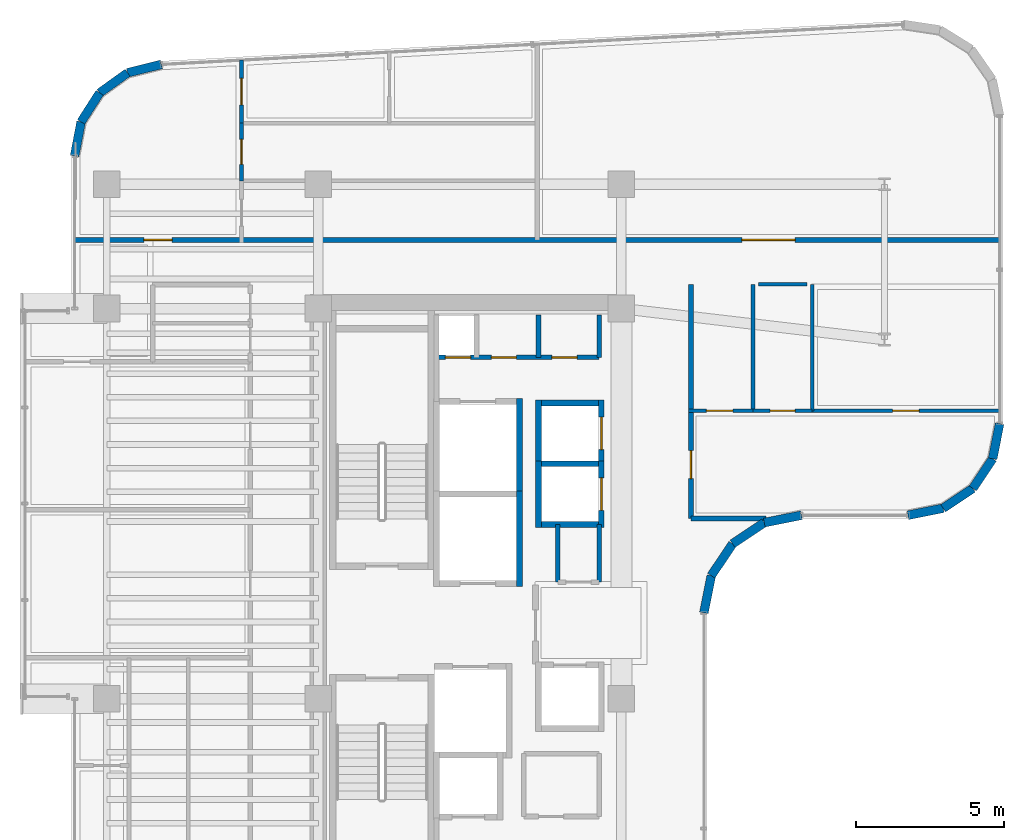
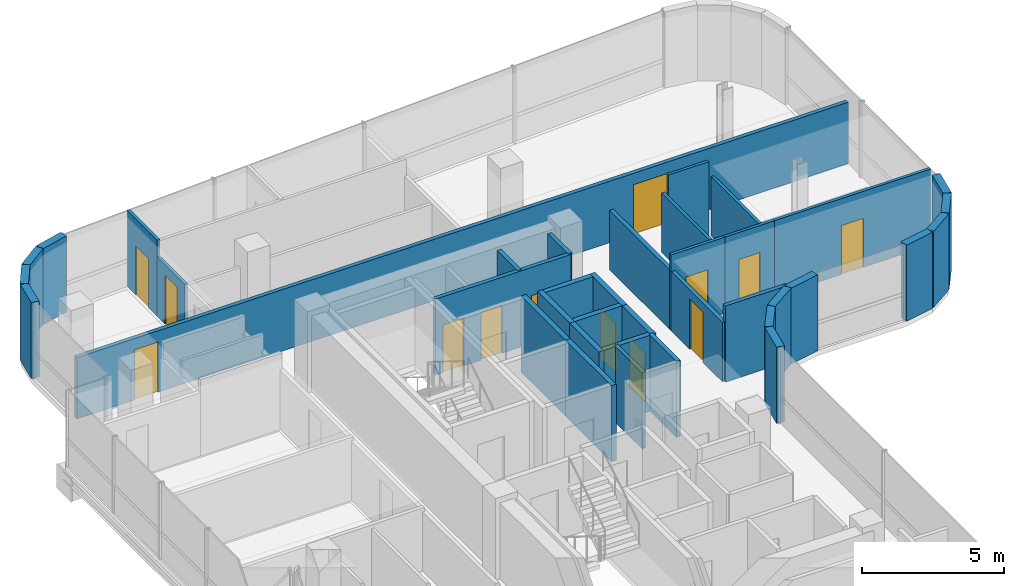
# One storey, part 18 of 22: 37 walls, 13 doors, 13 openings.
"""IFC4 building model written with IfcOpenShell, lengths in metres."""

from ifc_helpers import new_model, si_unit, direction, frame, frame_2d, origin, place, context, subcontext, project, spatial, rectangle, extrude, material, layer, layer_set, type_object, element, fill, save


model = new_model("IFC4")

# Units and contexts
model_context = context("Model", 3, precision=1e-05, world=origin(), true_north=direction((0.0, 1.0)))
body_context = subcontext(model_context, "Body", "Model", "MODEL_VIEW")
ifc_project = project(units=[si_unit("LENGTHUNIT", "METRE"), si_unit("AREAUNIT", "SQUARE_METRE"), si_unit("VOLUMEUNIT", "CUBIC_METRE"), si_unit("PLANEANGLEUNIT", "RADIAN"), si_unit("MASSUNIT", "GRAM", prefix="KILO")], contexts=[model_context])

# Site, building, storey
site_placement = place(None, origin())
site = spatial("IfcSite", under=ifc_project, at=site_placement, CompositionType="ELEMENT")
building_placement = place(site_placement, origin())
building = spatial("IfcBuilding", under=site, at=building_placement, Name="Valdorenza Pilgrim Sanctuary Tower", CompositionType="ELEMENT")
storey_placement = place(building_placement, frame((0.0, 0.0, 209.0)))
storey = spatial("IfcBuildingStorey", under=building, at=storey_placement, Name="L53", CompositionType="ELEMENT", Elevation=209.0)

# Wall, openings, doors
ifc_material_1 = material(Name="Acoustic twin-stud gypsum partition", Category="gypsum")
ifc_layer_1 = layer(ifc_material_1, 0.159912109375, Name="Acoustic twin-stud gypsum partition")
ifc_layer_set_1 = layer_set([ifc_layer_1], Name="Acoustic twin-stud gypsum partition")
wall_type_1 = type_object("IfcWallType", Name="WAL-COR-160", PredefinedType="PARTITIONING", material=ifc_layer_set_1)
wall_1_placement = place(storey_placement, frame((-18.64990234375, 8.949951171875, 0.0), z_axis=(0.0, 0.0, 1.0), x_axis=(1.0, 0.0, 0.0)))
wall_1 = element("IfcWall", 1, at=wall_1_placement, inside=storey, type_object=wall_type_1, Name="L53 Core A North Service South Wall", PredefinedType="PARTITIONING", context=body_context, shape_type="SweptSolid", body=[
    extrude(rectangle(XDim=5.5, YDim=0.159912109375, at=frame_2d((2.75, 0.0))), origin(), (0.0, 0.0, 1.0), 3.260009765625),
])
opening_1_placement = place(wall_1_placement, frame((0.300048828125, 0.0, 0.0)))
opening_1 = element("IfcOpeningElement", 2, at=opening_1_placement, cuts=wall_1, Name="Opening DR-RS1", PredefinedType="OPENING", context=body_context, shape_type="SweptSolid", body=[
    extrude(rectangle(XDim=0.85009765625, YDim=2.050048828125, at=frame_2d((0.425048828125, 1.02490234375))), frame((0.0, 0.0947265625, 0.0), z_axis=(0.0, -1.0, 0.0), x_axis=(1.0, 0.0, 0.0)), (0.0, 0.0, 1.0), 0.189697265625),
])
opening_2_placement = place(wall_1_placement, frame((1.85009765625, 0.0, 0.0)))
opening_2 = element("IfcOpeningElement", 3, at=opening_2_placement, cuts=wall_1, Name="Opening DR-RS1", PredefinedType="OPENING", context=body_context, shape_type="SweptSolid", body=[
    extrude(rectangle(XDim=0.85009765625, YDim=2.050048828125, at=frame_2d((0.425048828125, 1.02490234375))), frame((0.0, 0.0947265625, 0.0), z_axis=(0.0, -1.0, 0.0), x_axis=(1.0, 0.0, 0.0)), (0.0, 0.0, 1.0), 0.189697265625),
])
opening_3_placement = place(wall_1_placement, frame((3.89990234375, 0.0, 0.0)))
opening_3 = element("IfcOpeningElement", 4, at=opening_3_placement, cuts=wall_1, Name="Opening DR-RS1", PredefinedType="OPENING", context=body_context, shape_type="SweptSolid", body=[
    extrude(rectangle(XDim=0.85009765625, YDim=2.050048828125, at=frame_2d((0.425048828125, 1.02490234375))), frame((0.0, 0.0947265625, 0.0), z_axis=(0.0, -1.0, 0.0), x_axis=(1.0, 0.0, 0.0)), (0.0, 0.0, 1.0), 0.189697265625),
])
ifc_material_2 = material(Name="Painted galvanized steel", Category="steel")
door_type_1 = type_object("IfcDoorType", Name="DR-RSR-850", OperationType="NOTDEFINED", PredefinedType="DOOR", material=ifc_material_2)
door_1_placement = place(opening_1_placement, origin())
door_1 = element("IfcDoor", 5, at=door_1_placement, inside=storey, type_object=door_type_1, Name="L53 Core Electrical and Telecom Riser Door", OperationType="SINGLE_SWING_LEFT", OverallHeight=2.050048828125, OverallWidth=0.85009765625, PredefinedType="DOOR", context=body_context, shape_type="SweptSolid", body=[
    extrude(rectangle(XDim=0.85009765625, YDim=2.050048828125, at=frame_2d((0.425048828125, 1.02490234375))), frame((0.0, 0.02490234375, 0.0), z_axis=(0.0, -1.0, 0.0), x_axis=(1.0, 0.0, 0.0)), (0.0, 0.0, 1.0), 0.050048828125),
])
fill(opening_1, door_1)
door_2_placement = place(opening_2_placement, origin())
door_2 = element("IfcDoor", 6, at=door_2_placement, inside=storey, type_object=door_type_1, Name="L53 Housekeeping and Clean Linen Room Door", OperationType="SINGLE_SWING_RIGHT", OverallHeight=2.050048828125, OverallWidth=0.85009765625, PredefinedType="DOOR", context=body_context, shape_type="SweptSolid", body=[
    extrude(rectangle(XDim=0.85009765625, YDim=2.050048828125, at=frame_2d((0.425048828125, 1.02490234375))), frame((0.0, 0.02490234375, 0.0), z_axis=(0.0, -1.0, 0.0), x_axis=(1.0, 0.0, 0.0)), (0.0, 0.0, 1.0), 0.050048828125),
])
fill(opening_2, door_2)
door_3_placement = place(opening_3_placement, origin())
door_3 = element("IfcDoor", 7, at=door_3_placement, inside=storey, type_object=door_type_1, Name="L53 Guest Ice and Vending Pantry Door", OperationType="SINGLE_SWING_LEFT", OverallHeight=2.050048828125, OverallWidth=0.85009765625, PredefinedType="DOOR", context=body_context, shape_type="SweptSolid", body=[
    extrude(rectangle(XDim=0.85009765625, YDim=2.050048828125, at=frame_2d((0.425048828125, 1.02490234375))), frame((0.0, 0.02490234375, 0.0), z_axis=(0.0, -1.0, 0.0), x_axis=(1.0, 0.0, 0.0)), (0.0, 0.0, 1.0), 0.050048828125),
])
fill(opening_3, door_3)

# Walls
for number, where, z_axis, x_axis, name in (
    (8, (-13.14990234375, 8.949951171875, 0.0), (0.0, 0.0, 1.0), (0.0, 1.0, 0.0), "L53 Core A North Service East Wall"),
    (9, (-15.199951171875, 8.949951171875, 0.0), (0.0, 0.0, 1.0), (0.0, 1.0, 0.0), "L53 Core A Housekeeping Split B"),
):
    element("IfcWall", number, at=place(storey_placement, frame(where, z_axis=z_axis, x_axis=x_axis)), inside=storey, type_object=wall_type_1, Name=name, PredefinedType="PARTITIONING", context=body_context, shape_type="SweptSolid", body=[
        extrude(rectangle(XDim=1.429931640625, YDim=0.159912109375, at=frame_2d((0.71484375, 0.0))), origin(), (0.0, 0.0, 1.0), 3.260009765625),
    ])
wall_2_placement = place(storey_placement, frame((-13.14990234375, 1.35009765625, 0.0), z_axis=(0.0, 0.0, 1.0), x_axis=(0.0, 1.0, 0.0)))
element("IfcWall", 10, at=wall_2_placement, inside=storey, type_object=wall_type_1, Name="L53 Freed Shaft 6 East Wall", PredefinedType="PARTITIONING", context=body_context, shape_type="SweptSolid", body=[
    extrude(rectangle(XDim=1.949951171875, YDim=0.159912109375, at=frame_2d((0.97509765625, 0.0))), origin(), (0.0, 0.0, 1.0), 3.260009765625),
])

# Wall, openings, doors
wall_3_placement = place(storey_placement, frame((-30.889892578125, 12.919921875, 0.0), z_axis=(0.0, 0.0, 1.0), x_axis=(1.0, 0.0, 0.0)))
wall_3 = element("IfcWall", 11, at=wall_3_placement, inside=storey, type_object=wall_type_1, Name="L53 North Corridor Wall", PredefinedType="PARTITIONING", context=body_context, shape_type="SweptSolid", body=[
    extrude(rectangle(XDim=31.27978515625, YDim=0.159912109375, at=frame_2d((15.639892578125, 0.0))), origin(), (0.0, 0.0, 1.0), 2.634033203125),
])
opening_4_placement = place(wall_3_placement, frame((2.346923828125, 0.0, 0.0)))
opening_4 = element("IfcOpeningElement", 12, at=opening_4_placement, cuts=wall_3, Name="Opening DR-UN1", PredefinedType="OPENING", context=body_context, shape_type="SweptSolid", body=[
    extrude(rectangle(XDim=0.949951171875, YDim=2.14990234375, at=frame_2d((0.47509765625, 1.074951171875))), frame((0.0, 0.0947265625, 0.0), z_axis=(0.0, -1.0, 0.0), x_axis=(1.0, 0.0, 0.0)), (0.0, 0.0, 1.0), 0.189697265625),
])
opening_5_placement = place(wall_3_placement, frame((22.56005859375, 0.0, 0.0)))
opening_5 = element("IfcOpeningElement", 13, at=opening_5_placement, cuts=wall_3, Name="Opening DR-HL1", PredefinedType="OPENING", context=body_context, shape_type="SweptSolid", body=[
    extrude(rectangle(XDim=1.800048828125, YDim=2.14990234375, at=frame_2d((0.89990234375, 1.074951171875))), frame((0.0, 0.0947265625, 0.0), z_axis=(0.0, -1.0, 0.0), x_axis=(1.0, 0.0, 0.0)), (0.0, 0.0, 1.0), 0.189697265625),
])
ifc_material_3 = material(Name="Acoustic oak and vision-glass double door", Category="glass")
door_type_2 = type_object("IfcDoorType", Name="DR-HALL-1800", OperationType="NOTDEFINED", PredefinedType="DOOR", material=ifc_material_3)
door_4_placement = place(opening_5_placement, origin())
door_4 = element("IfcDoor", 14, at=door_4_placement, inside=storey, type_object=door_type_2, Name="L53 Sacred Archive Reading Library L53-N2 Door", OperationType="DOUBLE_DOOR_SINGLE_SWING", OverallHeight=2.14990234375, OverallWidth=1.800048828125, PredefinedType="DOOR", context=body_context, shape_type="SweptSolid", body=[
    extrude(rectangle(XDim=1.800048828125, YDim=2.14990234375, at=frame_2d((0.89990234375, 1.074951171875))), frame((0.0, 0.02490234375, 0.0), z_axis=(0.0, -1.0, 0.0), x_axis=(1.0, 0.0, 0.0)), (0.0, 0.0, 1.0), 0.050048828125),
])
fill(opening_5, door_4)
ifc_material_4 = material(Name="Solid-core European oak timber", Category="wood")
door_type_3 = type_object("IfcDoorType", Name="DR-UNIT-950", OperationType="NOTDEFINED", PredefinedType="DOOR", material=ifc_material_4)
door_5_placement = place(opening_4_placement, frame((0.949951171875, 0.0, 0.0), z_axis=(0.0, 0.0, 1.0), x_axis=(-1.0, 0.0, 0.0)))
door_5 = element("IfcDoor", 15, at=door_5_placement, inside=storey, type_object=door_type_3, Name="L53 North Grand Residence L53-N1 Entrance Door", OperationType="SINGLE_SWING_LEFT", OverallHeight=2.14990234375, OverallWidth=0.949951171875, PredefinedType="DOOR", context=body_context, shape_type="SweptSolid", body=[
    extrude(rectangle(XDim=0.949951171875, YDim=2.14990234375, at=frame_2d((0.47509765625, 1.074951171875))), frame((0.0, 0.02490234375, 0.0), z_axis=(0.0, -1.0, 0.0), x_axis=(1.0, 0.0, 0.0)), (0.0, 0.0, 1.0), 0.050048828125),
])
fill(opening_4, door_5)

# Wall, opening, door
wall_4_placement = place(storey_placement, frame((-10.050048828125, 3.5, 0.0), z_axis=(0.0, 0.0, 1.0), x_axis=(0.0, 1.0, 0.0)))
wall_4 = element("IfcWall", 16, at=wall_4_placement, inside=storey, type_object=wall_type_1, Name="L53 East Stub Corridor Wall", PredefinedType="PARTITIONING", context=body_context, shape_type="SweptSolid", body=[
    extrude(rectangle(XDim=7.919921875, YDim=0.159912109375, at=frame_2d((3.9599609375, 0.0))), origin(), (0.0, 0.0, 1.0), 2.5439453125),
])
opening_6_placement = place(wall_4_placement, frame((1.346923828125, 0.0, 0.0)))
opening_6 = element("IfcOpeningElement", 17, at=opening_6_placement, cuts=wall_4, Name="Opening DR-UN1", PredefinedType="OPENING", context=body_context, shape_type="SweptSolid", body=[
    extrude(rectangle(XDim=0.949951171875, YDim=2.14990234375, at=frame_2d((0.47509765625, 1.074951171875))), frame((0.0, 0.0947265625, 0.0), z_axis=(0.0, -1.0, 0.0), x_axis=(1.0, 0.0, 0.0)), (0.0, 0.0, 1.0), 0.189697265625),
])
door_6_placement = place(opening_6_placement, frame((0.949951171875, 0.0, 0.0), z_axis=(0.0, 0.0, 1.0), x_axis=(-1.0, 0.0, 0.0)))
door_6 = element("IfcDoor", 18, at=door_6_placement, inside=storey, type_object=door_type_3, Name="L53 East Sanctuary Apartment L53-E1 Entrance Door", OperationType="SINGLE_SWING_LEFT", OverallHeight=2.14990234375, OverallWidth=0.949951171875, PredefinedType="DOOR", context=body_context, shape_type="SweptSolid", body=[
    extrude(rectangle(XDim=0.949951171875, YDim=2.14990234375, at=frame_2d((0.47509765625, 1.074951171875))), frame((0.0, 0.02490234375, 0.0), z_axis=(0.0, -1.0, 0.0), x_axis=(1.0, 0.0, 0.0)), (0.0, 0.0, 1.0), 0.050048828125),
])
fill(opening_6, door_6)

# Walls
wall_5_placement = place(storey_placement, frame((-10.050048828125, 3.5, 0.0), z_axis=(0.0, 0.0, 1.0), x_axis=(1.0, 0.0, 0.0)))
element("IfcWall", 19, at=wall_5_placement, inside=storey, type_object=wall_type_1, Name="L53 East Stub South Wall", PredefinedType="PARTITIONING", context=body_context, shape_type="SweptSolid", body=[
    extrude(rectangle(XDim=2.545654296875, YDim=0.159912109375, at=frame_2d((1.27294921875, 0.0))), origin(), (0.0, 0.0, 1.0), 3.260009765625),
])
ifc_material_5 = material(Name="Honed travertine limestone", Category="masonry")
ifc_layer_2 = layer(ifc_material_5, 0.300048828125, Name="Honed travertine limestone")
ifc_layer_set_2 = layer_set([ifc_layer_2], Name="Honed travertine limestone")
wall_type_2 = type_object("IfcWallType", Name="WAL-EXT-300", PredefinedType="SOLIDWALL", material=ifc_layer_set_2)
wall_6_placement = place(storey_placement, frame((-30.889892578125, 15.757568359375, 0.0), z_axis=(0.0, 0.0, 1.0), x_axis=(0.18831542659, 0.982108598938, 0.0)))
element("IfcWall", 20, at=wall_6_placement, inside=storey, type_object=wall_type_2, Name="L53 Rounded Wind-Corner Stone Pier 2", PredefinedType="SOLIDWALL", context=body_context, shape_type="SweptSolid", body=[
    extrude(rectangle(XDim=1.174560546875, YDim=0.300048828125, at=frame_2d((0.58740234375, 0.0))), origin(), (0.0, 0.0, 1.0), 3.260009765625),
])
wall_7_placement = place(storey_placement, frame((-30.668701171875, 16.9111328125, 0.0), z_axis=(0.0, 0.0, 1.0), x_axis=(0.538678781902, 0.84251122837, 0.0)))
element("IfcWall", 21, at=wall_7_placement, inside=storey, type_object=wall_type_2, Name="L53 Rounded Wind-Corner Stone Pier 3", PredefinedType="SOLIDWALL", context=body_context, shape_type="SweptSolid", body=[
    extrude(rectangle(XDim=1.164306640625, YDim=0.300048828125, at=frame_2d((0.58203125, 0.0))), origin(), (0.0, 0.0, 1.0), 3.260009765625),
])
wall_8_placement = place(storey_placement, frame((-30.04150390625, 17.89208984375, 0.0), z_axis=(0.0, 0.0, 1.0), x_axis=(0.812313539683, 0.583220981487, 0.0)))
element("IfcWall", 22, at=wall_8_placement, inside=storey, type_object=wall_type_2, Name="L53 Rounded Wind-Corner Stone Pier 4", PredefinedType="SOLIDWALL", context=body_context, shape_type="SweptSolid", body=[
    extrude(rectangle(XDim=1.163818359375, YDim=0.300048828125, at=frame_2d((0.58203125, 0.0))), origin(), (0.0, 0.0, 1.0), 3.260009765625),
])
wall_9_placement = place(storey_placement, frame((-29.09619140625, 18.57080078125, 0.0), z_axis=(0.0, 0.0, 1.0), x_axis=(0.97050812798, 0.241068400098, 0.0)))
element("IfcWall", 23, at=wall_9_placement, inside=storey, type_object=wall_type_2, Name="L53 Rounded Wind-Corner Stone Pier 5", PredefinedType="SOLIDWALL", context=body_context, shape_type="SweptSolid", body=[
    extrude(rectangle(XDim=1.1748046875, YDim=0.300048828125, at=frame_2d((0.58740234375, 0.0))), origin(), (0.0, 0.0, 1.0), 3.260009765625),
])
wall_10_placement = place(storey_placement, frame((0.389892578125, 6.710693359375, 0.0), z_axis=(0.0, 0.0, 1.0), x_axis=(-0.194996050505, -0.980804027463, 0.0)))
element("IfcWall", 24, at=wall_10_placement, inside=storey, type_object=wall_type_2, Name="L53 Rounded Wind-Corner Stone Pier 12", PredefinedType="SOLIDWALL", context=body_context, shape_type="SweptSolid", body=[
    extrude(rectangle(XDim=1.2158203125, YDim=0.300048828125, at=frame_2d((0.60791015625, 0.0))), origin(), (0.0, 0.0, 1.0), 3.260009765625),
])
for number, where, z_axis, x_axis, name in (
    (25, (0.15283203125, 5.518310546875, 0.0), (0.0, 0.0, 1.0), (-0.555635100982, -0.831426265255, 0.0), "L53 Rounded Wind-Corner Stone Pier 13"),
    (26, (-0.5166015625, 4.5166015625, 0.0), (0.0, 0.0, 1.0), (-0.831426265255, -0.555635100982, 0.0), "L53 Rounded Wind-Corner Stone Pier 14"),
):
    element("IfcWall", number, at=place(storey_placement, frame(where, z_axis=z_axis, x_axis=x_axis)), inside=storey, type_object=wall_type_2, Name=name, PredefinedType="SOLIDWALL", context=body_context, shape_type="SweptSolid", body=[
        extrude(rectangle(XDim=1.204833984375, YDim=0.300048828125, at=frame_2d((0.6025390625, 0.0))), origin(), (0.0, 0.0, 1.0), 3.260009765625),
    ])
wall_11_placement = place(storey_placement, frame((-1.518310546875, 3.84716796875, 0.0), z_axis=(0.0, 0.0, 1.0), x_axis=(-0.980804027463, -0.194996050505, 0.0)))
element("IfcWall", 27, at=wall_11_placement, inside=storey, type_object=wall_type_2, Name="L53 Rounded Wind-Corner Stone Pier 15", PredefinedType="SOLIDWALL", context=body_context, shape_type="SweptSolid", body=[
    extrude(rectangle(XDim=1.2158203125, YDim=0.300048828125, at=frame_2d((0.60791015625, 0.0))), origin(), (0.0, 0.0, 1.0), 3.260009765625),
])
wall_12_placement = place(storey_placement, frame((-6.310791015625, 3.610107421875, 0.0), z_axis=(0.0, 0.0, 1.0), x_axis=(-0.980778058848, -0.195126623715, 0.0)))
element("IfcWall", 28, at=wall_12_placement, inside=storey, type_object=wall_type_2, Name="L53 Rounded Wind-Corner Stone Pier 17", PredefinedType="SOLIDWALL", context=body_context, shape_type="SweptSolid", body=[
    extrude(rectangle(XDim=1.28125, YDim=0.300048828125, at=frame_2d((0.640625, 0.0))), origin(), (0.0, 0.0, 1.0), 3.260009765625),
])
for number, where, z_axis, x_axis, name in (
    (29, (-7.5673828125, 3.360107421875, 0.0), (0.0, 0.0, 1.0), (-0.831497739511, -0.555528135371, 0.0), "L53 Rounded Wind-Corner Stone Pier 18"),
    (30, (-8.64208984375, 2.64208984375, 0.0), (0.0, 0.0, 1.0), (-0.555528135371, -0.831497739511, 0.0), "L53 Rounded Wind-Corner Stone Pier 19"),
):
    element("IfcWall", number, at=place(storey_placement, frame(where, z_axis=z_axis, x_axis=x_axis)), inside=storey, type_object=wall_type_2, Name=name, PredefinedType="SOLIDWALL", context=body_context, shape_type="SweptSolid", body=[
        extrude(rectangle(XDim=1.29248046875, YDim=0.300048828125, at=frame_2d((0.646240234375, 0.0))), origin(), (0.0, 0.0, 1.0), 3.260009765625),
    ])
wall_13_placement = place(storey_placement, frame((-9.360107421875, 1.5673828125, 0.0), z_axis=(0.0, 0.0, 1.0), x_axis=(-0.195126623715, -0.980778058848, 0.0)))
element("IfcWall", 31, at=wall_13_placement, inside=storey, type_object=wall_type_2, Name="L53 Rounded Wind-Corner Stone Pier 20", PredefinedType="SOLIDWALL", context=body_context, shape_type="SweptSolid", body=[
    extrude(rectangle(XDim=1.28125, YDim=0.300048828125, at=frame_2d((0.640625, 0.0))), origin(), (0.0, 0.0, 1.0), 3.260009765625),
])

# Wall, opening, door
ifc_material_6 = material(Name="Moisture-resistant gypsum partition", Category="gypsum")
ifc_layer_3 = layer(ifc_material_6, 0.1201171875, Name="Moisture-resistant gypsum partition")
ifc_layer_set_3 = layer_set([ifc_layer_3], Name="Moisture-resistant gypsum partition")
wall_type_3 = type_object("IfcWallType", Name="WAL-INT-120", PredefinedType="PARTITIONING", material=ifc_layer_set_3)
wall_14_placement = place(storey_placement, frame((-25.24560546875, 14.919921875, 0.0), z_axis=(0.0, 0.0, 1.0), x_axis=(0.0, 1.0, 0.0)))
wall_14 = element("IfcWall", 32, at=wall_14_placement, inside=storey, type_object=wall_type_3, Name="L53 North Grand Residence L53-N1 Bathroom Door Wall", PredefinedType="PARTITIONING", context=body_context, shape_type="SweptSolid", body=[
    extrude(rectangle(XDim=1.9501953125, YDim=0.1201171875, at=frame_2d((0.97509765625, 0.0))), origin(), (0.0, 0.0, 1.0), 2.5439453125),
])
opening_7_placement = place(wall_14_placement, frame((0.550048828125, 0.0, 0.0)))
opening_7 = element("IfcOpeningElement", 33, at=opening_7_placement, cuts=wall_14, Name="Opening DR-WC1", PredefinedType="OPENING", context=body_context, shape_type="SweptSolid", body=[
    extrude(rectangle(XDim=0.85009765625, YDim=2.10009765625, at=frame_2d((0.425048828125, 1.050048828125))), frame((0.0, 0.074951171875, 0.0), z_axis=(0.0, -1.0, 0.0), x_axis=(1.0, 0.0, 0.0)), (0.0, 0.0, 1.0), 0.14990234375),
])
ifc_material_7 = material(Name="Moisture-resistant lacquered timber", Category="wood")
door_type_4 = type_object("IfcDoorType", Name="DR-BATH-850", OperationType="NOTDEFINED", PredefinedType="DOOR", material=ifc_material_7)
door_7_placement = place(opening_7_placement, origin())
door_7 = element("IfcDoor", 34, at=door_7_placement, inside=storey, type_object=door_type_4, Name="L53 North Grand Residence L53-N1 Bathroom Door", OperationType="SINGLE_SWING_RIGHT", OverallHeight=2.10009765625, OverallWidth=0.85009765625, PredefinedType="DOOR", context=body_context, shape_type="SweptSolid", body=[
    extrude(rectangle(XDim=0.85009765625, YDim=2.10009765625, at=frame_2d((0.425048828125, 1.050048828125))), frame((0.0, 0.02490234375, 0.0), z_axis=(0.0, -1.0, 0.0), x_axis=(1.0, 0.0, 0.0)), (0.0, 0.0, 1.0), 0.050048828125),
])
fill(opening_7, door_7)

wall_15_placement = place(storey_placement, frame((-25.24560546875, 16.8701171875, 0.0), z_axis=(0.0, 0.0, 1.0), x_axis=(0.0, 1.0, 0.0)))
wall_15 = element("IfcWall", 35, at=wall_15_placement, inside=storey, type_object=wall_type_3, Name="L53 North Grand Residence L53-N1 Bedroom Door Wall", PredefinedType="PARTITIONING", context=body_context, shape_type="SweptSolid", body=[
    extrude(rectangle(XDim=2.13037109375, YDim=0.1201171875, at=frame_2d((1.065185546875, 0.0))), origin(), (0.0, 0.0, 1.0), 3.260009765625),
])
opening_8_placement = place(wall_15_placement, frame((0.614990234375, 0.0, 0.0)))
opening_8 = element("IfcOpeningElement", 36, at=opening_8_placement, cuts=wall_15, Name="Opening DR-RM1", PredefinedType="OPENING", context=body_context, shape_type="SweptSolid", body=[
    extrude(rectangle(XDim=0.89990234375, YDim=2.10009765625, at=frame_2d((0.449951171875, 1.050048828125))), frame((0.0, 0.074951171875, 0.0), z_axis=(0.0, -1.0, 0.0), x_axis=(1.0, 0.0, 0.0)), (0.0, 0.0, 1.0), 0.14990234375),
])
door_type_5 = type_object("IfcDoorType", Name="DR-ROOM-900", OperationType="NOTDEFINED", PredefinedType="DOOR", material=ifc_material_4)
door_8_placement = place(opening_8_placement, origin())
door_8 = element("IfcDoor", 37, at=door_8_placement, inside=storey, type_object=door_type_5, Name="L53 North Grand Residence L53-N1 Bedroom 1 Door", OperationType="SINGLE_SWING_RIGHT", OverallHeight=2.10009765625, OverallWidth=0.89990234375, PredefinedType="DOOR", context=body_context, shape_type="SweptSolid", body=[
    extrude(rectangle(XDim=0.89990234375, YDim=2.10009765625, at=frame_2d((0.449951171875, 1.050048828125))), frame((0.0, 0.02490234375, 0.0), z_axis=(0.0, -1.0, 0.0), x_axis=(1.0, 0.0, 0.0)), (0.0, 0.0, 1.0), 0.050048828125),
])
fill(opening_8, door_8)

# Walls
for number, where, z_axis, x_axis, name in (
    (38, (-7.949951171875, 7.143310546875, 0.0), (0.0, 0.0, 1.0), (0.0, 1.0, 0.0), "L53 East Sanctuary Apartment L53-E1 Bath-Kitchen Wall"),
    (39, (-5.949951171875, 7.143310546875, 0.0), (0.0, 0.0, 1.0), (0.0, 1.0, 0.0), "L53 East Sanctuary Apartment L53-E1 Kitchen-Bedroom Wall"),
):
    element("IfcWall", number, at=place(storey_placement, frame(where, z_axis=z_axis, x_axis=x_axis)), inside=storey, type_object=wall_type_3, Name=name, PredefinedType="PARTITIONING", context=body_context, shape_type="SweptSolid", body=[
        extrude(rectangle(XDim=4.276611328125, YDim=0.1201171875, at=frame_2d((2.13818359375, 0.0))), origin(), (0.0, 0.0, 1.0), 2.5439453125),
    ])

# Wall, opening, door
wall_16_placement = place(storey_placement, frame((-7.949951171875, 7.143310546875, 0.0), z_axis=(0.0, 0.0, 1.0), x_axis=(1.0, 0.0, 0.0)))
wall_16 = element("IfcWall", 40, at=wall_16_placement, inside=storey, type_object=wall_type_3, Name="L53 East Sanctuary Apartment L53-E1 Bathroom Door Wall", PredefinedType="PARTITIONING", context=body_context, shape_type="SweptSolid", body=[
    extrude(rectangle(XDim=2.0, YDim=0.1201171875, at=frame_2d((1.0, 0.0))), origin(), (0.0, 0.0, 1.0), 3.260009765625),
])
opening_9_placement = place(wall_16_placement, frame((0.574951171875, 0.0, 0.0)))
opening_9 = element("IfcOpeningElement", 41, at=opening_9_placement, cuts=wall_16, Name="Opening DR-WC1", PredefinedType="OPENING", context=body_context, shape_type="SweptSolid", body=[
    extrude(rectangle(XDim=0.85009765625, YDim=2.10009765625, at=frame_2d((0.425048828125, 1.050048828125))), frame((0.0, 0.074951171875, 0.0), z_axis=(0.0, -1.0, 0.0), x_axis=(1.0, 0.0, 0.0)), (0.0, 0.0, 1.0), 0.14990234375),
])
door_9_placement = place(opening_9_placement, origin())
door_9 = element("IfcDoor", 42, at=door_9_placement, inside=storey, type_object=door_type_4, Name="L53 East Sanctuary Apartment L53-E1 Bathroom Door", OperationType="SINGLE_SWING_RIGHT", OverallHeight=2.10009765625, OverallWidth=0.85009765625, PredefinedType="DOOR", context=body_context, shape_type="SweptSolid", body=[
    extrude(rectangle(XDim=0.85009765625, YDim=2.10009765625, at=frame_2d((0.425048828125, 1.050048828125))), frame((0.0, 0.02490234375, 0.0), z_axis=(0.0, -1.0, 0.0), x_axis=(1.0, 0.0, 0.0)), (0.0, 0.0, 1.0), 0.050048828125),
])
fill(opening_9, door_9)

wall_17_placement = place(storey_placement, frame((-10.1298828125, 7.143310546875, 0.0), z_axis=(0.0, 0.0, 1.0), x_axis=(1.0, 0.0, 0.0)))
wall_17 = element("IfcWall", 43, at=wall_17_placement, inside=storey, type_object=wall_type_3, Name="L53 East Sanctuary Apartment L53-E1 Kitchen Door Wall", PredefinedType="PARTITIONING", context=body_context, shape_type="SweptSolid", body=[
    extrude(rectangle(XDim=2.179931640625, YDim=0.1201171875, at=frame_2d((1.08984375, 0.0))), origin(), (0.0, 0.0, 1.0), 3.260009765625),
])
opening_10_placement = place(wall_17_placement, frame((0.60009765625, 0.0, 0.0)))
opening_10 = element("IfcOpeningElement", 44, at=opening_10_placement, cuts=wall_17, Name="Opening DR-RM1", PredefinedType="OPENING", context=body_context, shape_type="SweptSolid", body=[
    extrude(rectangle(XDim=0.89990234375, YDim=2.10009765625, at=frame_2d((0.449951171875, 1.050048828125))), frame((0.0, 0.074951171875, 0.0), z_axis=(0.0, -1.0, 0.0), x_axis=(1.0, 0.0, 0.0)), (0.0, 0.0, 1.0), 0.14990234375),
])
door_10_placement = place(opening_10_placement, origin())
door_10 = element("IfcDoor", 45, at=door_10_placement, inside=storey, type_object=door_type_5, Name="L53 East Sanctuary Apartment L53-E1 Kitchen Door", OperationType="SINGLE_SWING_LEFT", OverallHeight=2.10009765625, OverallWidth=0.89990234375, PredefinedType="DOOR", context=body_context, shape_type="SweptSolid", body=[
    extrude(rectangle(XDim=0.89990234375, YDim=2.10009765625, at=frame_2d((0.449951171875, 1.050048828125))), frame((0.0, 0.02490234375, 0.0), z_axis=(0.0, -1.0, 0.0), x_axis=(1.0, 0.0, 0.0)), (0.0, 0.0, 1.0), 0.050048828125),
])
fill(opening_10, door_10)

wall_18_placement = place(storey_placement, frame((-5.949951171875, 7.143310546875, 0.0), z_axis=(0.0, 0.0, 1.0), x_axis=(1.0, 0.0, 0.0)))
wall_18 = element("IfcWall", 46, at=wall_18_placement, inside=storey, type_object=wall_type_3, Name="L53 East Sanctuary Apartment L53-E1 Bedroom Door Wall", PredefinedType="PARTITIONING", context=body_context, shape_type="SweptSolid", body=[
    extrude(rectangle(XDim=6.33984375, YDim=0.1201171875, at=frame_2d((3.169921875, 0.0))), origin(), (0.0, 0.0, 1.0), 3.260009765625),
])
opening_11_placement = place(wall_18_placement, frame((2.719970703125, 0.0, 0.0)))
opening_11 = element("IfcOpeningElement", 47, at=opening_11_placement, cuts=wall_18, Name="Opening DR-RM1", PredefinedType="OPENING", context=body_context, shape_type="SweptSolid", body=[
    extrude(rectangle(XDim=0.89990234375, YDim=2.10009765625, at=frame_2d((0.449951171875, 1.050048828125))), frame((0.0, 0.074951171875, 0.0), z_axis=(0.0, -1.0, 0.0), x_axis=(1.0, 0.0, 0.0)), (0.0, 0.0, 1.0), 0.14990234375),
])
door_11_placement = place(opening_11_placement, origin())
door_11 = element("IfcDoor", 48, at=door_11_placement, inside=storey, type_object=door_type_5, Name="L53 East Sanctuary Apartment L53-E1 Bedroom Door", OperationType="SINGLE_SWING_RIGHT", OverallHeight=2.10009765625, OverallWidth=0.89990234375, PredefinedType="DOOR", context=body_context, shape_type="SweptSolid", body=[
    extrude(rectangle(XDim=0.89990234375, YDim=2.10009765625, at=frame_2d((0.449951171875, 1.050048828125))), frame((0.0, 0.02490234375, 0.0), z_axis=(0.0, -1.0, 0.0), x_axis=(1.0, 0.0, 0.0)), (0.0, 0.0, 1.0), 0.050048828125),
])
fill(opening_11, door_11)

# Walls
wall_19_placement = place(storey_placement, frame((-7.77001953125, 11.419921875, 0.0), z_axis=(0.0, 0.0, 1.0), x_axis=(1.0, 0.0, 0.0)))
element("IfcWall", 49, at=wall_19_placement, inside=storey, type_object=wall_type_3, Name="L53 ESTB-S1-BTH Enclosure Wall N", PredefinedType="PARTITIONING", context=body_context, shape_type="SweptSolid", body=[
    extrude(rectangle(XDim=1.64013671875, YDim=0.1201171875, at=frame_2d((0.820068359375, 0.0))), origin(), (0.0, 0.0, 1.0), 3.260009765625),
])
ifc_material_8 = material(Name="Autoclaved aerated concrete blockwork", Category="masonry")
ifc_layer_4 = layer(ifc_material_8, 0.199951171875, Name="Autoclaved aerated concrete blockwork")
ifc_layer_set_4 = layer_set([ifc_layer_4], Name="Autoclaved aerated concrete blockwork")
wall_type_4 = type_object("IfcWallType", Name="WAL-SHF-200", PredefinedType="MOVABLE", material=ifc_layer_set_4)
wall_20_placement = place(storey_placement, frame((-15.85009765625, 1.199951171875, 0.0), z_axis=(0.0, 0.0, 1.0), x_axis=(0.0, 1.0, 0.0)))
element("IfcWall", 50, at=wall_20_placement, inside=storey, type_object=wall_type_4, Name="L53 Lift FFL-01 Hoistway Wall East", PredefinedType="MOVABLE", context=body_context, shape_type="SweptSolid", body=[
    extrude(rectangle(XDim=3.22509765625, YDim=0.199951171875, at=frame_2d((1.612548828125, 0.0))), origin(), (0.0, 0.0, 1.0), 3.260009765625),
])
wall_21_placement = place(storey_placement, frame((-15.85009765625, 4.22509765625, 0.0), z_axis=(0.0, 0.0, 1.0), x_axis=(0.0, 1.0, 0.0)))
element("IfcWall", 51, at=wall_21_placement, inside=storey, type_object=wall_type_4, Name="L53 Lift SVL-01 Hoistway Wall East", PredefinedType="MOVABLE", context=body_context, shape_type="SweptSolid", body=[
    extrude(rectangle(XDim=3.324951171875, YDim=0.199951171875, at=frame_2d((1.66259765625, 0.0))), origin(), (0.0, 0.0, 1.0), 3.260009765625),
])
wall_22_placement = place(storey_placement, frame((-15.199951171875, 3.199951171875, 0.0), z_axis=(0.0, 0.0, 1.0), x_axis=(0.0, 1.0, 0.0)))
element("IfcWall", 52, at=wall_22_placement, inside=storey, type_object=wall_type_4, Name="L53 Lift PL-09 Hoistway Wall West", PredefinedType="MOVABLE", context=body_context, shape_type="SweptSolid", body=[
    extrude(rectangle(XDim=2.25, YDim=0.199951171875, at=frame_2d((1.125, 0.0))), origin(), (0.0, 0.0, 1.0), 3.260009765625),
])

# Wall, opening, door
wall_23_placement = place(storey_placement, frame((-13.080078125, 3.199951171875, 0.0), z_axis=(0.0, 0.0, 1.0), x_axis=(0.0, 1.0, 0.0)))
wall_23 = element("IfcWall", 53, at=wall_23_placement, inside=storey, type_object=wall_type_4, Name="L53 Lift PL-09 Hoistway Wall East", PredefinedType="MOVABLE", context=body_context, shape_type="SweptSolid", body=[
    extrude(rectangle(XDim=2.25, YDim=0.199951171875, at=frame_2d((1.125, 0.0))), origin(), (0.0, 0.0, 1.0), 3.260009765625),
])
opening_12_placement = place(wall_23_placement, frame((0.574951171875, 0.0, 0.0)))
opening_12 = element("IfcOpeningElement", 54, at=opening_12_placement, cuts=wall_23, Name="Opening LD-01", PredefinedType="OPENING", context=body_context, shape_type="SweptSolid", body=[
    extrude(rectangle(XDim=1.10009765625, YDim=2.10009765625, at=frame_2d((0.550048828125, 1.050048828125))), frame((0.0, 0.11474609375, 0.0), z_axis=(0.0, -1.0, 0.0), x_axis=(1.0, 0.0, 0.0)), (0.0, 0.0, 1.0), 0.229736328125),
])
ifc_material_9 = material(Name="Brushed stainless steel Grade 316", Category="steel")
door_type_6 = type_object("IfcDoorType", Name="DR-LFT-1100", OperationType="DOUBLE_DOOR_SLIDING", PredefinedType="DOOR", material=ifc_material_9)
door_12_placement = place(opening_12_placement, origin())
door_12 = element("IfcDoor", 55, at=door_12_placement, inside=storey, type_object=door_type_6, Name="L53 Lift PL-09 Sliding Landing Door", OperationType="DOUBLE_DOOR_SLIDING", OverallHeight=2.10009765625, OverallWidth=1.10009765625, PredefinedType="DOOR", context=body_context, shape_type="SweptSolid", body=[
    extrude(rectangle(XDim=1.10009765625, YDim=2.10009765625, at=frame_2d((0.550048828125, 1.050048828125))), frame((0.0, 0.02490234375, 0.0), z_axis=(0.0, -1.0, 0.0), x_axis=(1.0, 0.0, 0.0)), (0.0, 0.0, 1.0), 0.050048828125),
])
fill(opening_12, door_12)

# Walls
for number, where, z_axis, x_axis, name in (
    (56, (-15.10009765625, 3.300048828125, 0.0), (0.0, 0.0, 1.0), (1.0, 0.0, 0.0), "L53 Lift PL-09 Hoistway Wall South"),
    (57, (-15.10009765625, 5.35009765625, 0.0), (0.0, 0.0, 1.0), (1.0, 0.0, 0.0), "L53 Lift PL-09 Hoistway Wall North"),
):
    element("IfcWall", number, at=place(storey_placement, frame(where, z_axis=z_axis, x_axis=x_axis)), inside=storey, type_object=wall_type_4, Name=name, PredefinedType="MOVABLE", context=body_context, shape_type="SweptSolid", body=[
        extrude(rectangle(XDim=1.920166015625, YDim=0.199951171875, at=frame_2d((0.9599609375, 0.0))), origin(), (0.0, 0.0, 1.0), 3.260009765625),
    ])
wall_24_placement = place(storey_placement, frame((-15.199951171875, 5.25, 0.0), z_axis=(0.0, 0.0, 1.0), x_axis=(0.0, 1.0, 0.0)))
element("IfcWall", 58, at=wall_24_placement, inside=storey, type_object=wall_type_4, Name="L53 Lift PL-10 Hoistway Wall West", PredefinedType="MOVABLE", context=body_context, shape_type="SweptSolid", body=[
    extrude(rectangle(XDim=2.25, YDim=0.199951171875, at=frame_2d((1.125, 0.0))), origin(), (0.0, 0.0, 1.0), 3.260009765625),
])

# Wall, opening, door
wall_25_placement = place(storey_placement, frame((-13.080078125, 5.25, 0.0), z_axis=(0.0, 0.0, 1.0), x_axis=(0.0, 1.0, 0.0)))
wall_25 = element("IfcWall", 59, at=wall_25_placement, inside=storey, type_object=wall_type_4, Name="L53 Lift PL-10 Hoistway Wall East", PredefinedType="MOVABLE", context=body_context, shape_type="SweptSolid", body=[
    extrude(rectangle(XDim=2.25, YDim=0.199951171875, at=frame_2d((1.125, 0.0))), origin(), (0.0, 0.0, 1.0), 3.260009765625),
])
opening_13_placement = place(wall_25_placement, frame((0.574951171875, 0.0, 0.0)))
opening_13 = element("IfcOpeningElement", 60, at=opening_13_placement, cuts=wall_25, Name="Opening LD-01", PredefinedType="OPENING", context=body_context, shape_type="SweptSolid", body=[
    extrude(rectangle(XDim=1.10009765625, YDim=2.10009765625, at=frame_2d((0.550048828125, 1.050048828125))), frame((0.0, 0.11474609375, 0.0), z_axis=(0.0, -1.0, 0.0), x_axis=(1.0, 0.0, 0.0)), (0.0, 0.0, 1.0), 0.229736328125),
])
door_13_placement = place(opening_13_placement, origin())
door_13 = element("IfcDoor", 61, at=door_13_placement, inside=storey, type_object=door_type_6, Name="L53 Lift PL-10 Sliding Landing Door", OperationType="DOUBLE_DOOR_SLIDING", OverallHeight=2.10009765625, OverallWidth=1.10009765625, PredefinedType="DOOR", context=body_context, shape_type="SweptSolid", body=[
    extrude(rectangle(XDim=1.10009765625, YDim=2.10009765625, at=frame_2d((0.550048828125, 1.050048828125))), frame((0.0, 0.02490234375, 0.0), z_axis=(0.0, -1.0, 0.0), x_axis=(1.0, 0.0, 0.0)), (0.0, 0.0, 1.0), 0.050048828125),
])
fill(opening_13, door_13)

# Walls
wall_26_placement = place(storey_placement, frame((-15.10009765625, 7.39990234375, 0.0), z_axis=(0.0, 0.0, 1.0), x_axis=(1.0, 0.0, 0.0)))
element("IfcWall", 62, at=wall_26_placement, inside=storey, type_object=wall_type_4, Name="L53 Lift PL-10 Hoistway Wall North", PredefinedType="MOVABLE", context=body_context, shape_type="SweptSolid", body=[
    extrude(rectangle(XDim=1.920166015625, YDim=0.199951171875, at=frame_2d((0.9599609375, 0.0))), origin(), (0.0, 0.0, 1.0), 3.260009765625),
])
ifc_layer_5 = layer(ifc_material_1, 0.14990234375, Name="Acoustic twin-stud gypsum partition")
ifc_layer_set_5 = layer_set([ifc_layer_5], Name="Acoustic twin-stud gypsum partition")
wall_type_5 = type_object("IfcWallType", Name="WAL-UNT-150", PredefinedType="PARTITIONING", material=ifc_layer_set_5)
wall_27_placement = place(storey_placement, frame((-14.550048828125, 1.35009765625, 0.0), z_axis=(0.0, 0.0, 1.0), x_axis=(0.0, 1.0, 0.0)))
element("IfcWall", 63, at=wall_27_placement, inside=storey, type_object=wall_type_5, Name="L53 Freed Shaft 6 West Wall", PredefinedType="PARTITIONING", context=body_context, shape_type="SweptSolid", body=[
    extrude(rectangle(XDim=1.949951171875, YDim=0.14990234375, at=frame_2d((0.97509765625, 0.0))), origin(), (0.0, 0.0, 1.0), 3.260009765625),
])

save(model, "model.ifc")
